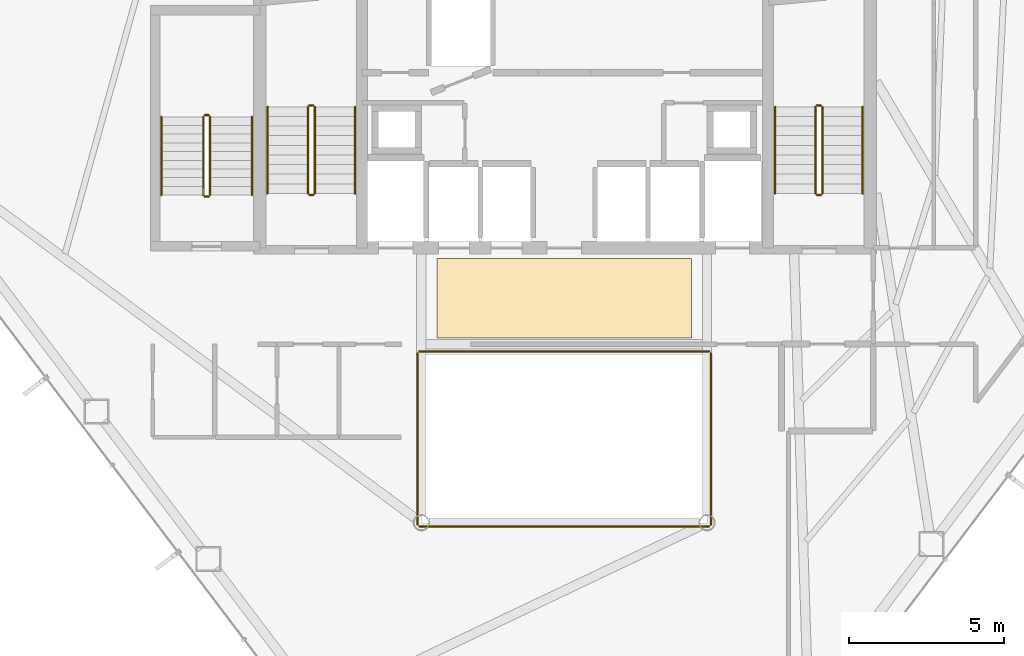
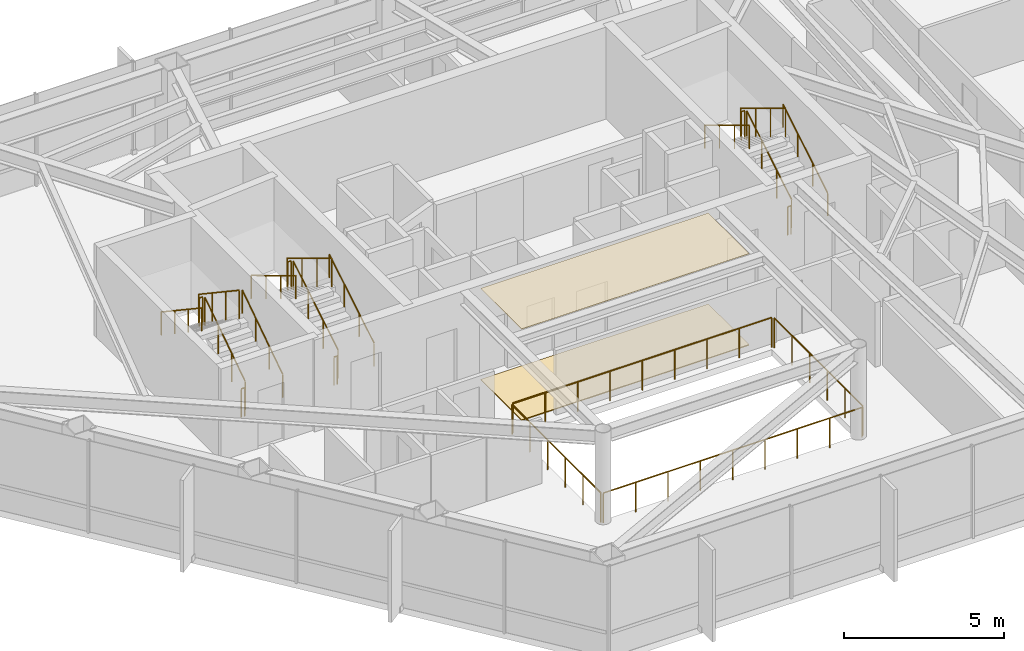
# One storey, part 28 of 28: 22 railings, 2 coverings.
"""IFC4 building model written with IfcOpenShell, lengths in metres."""

import ifcopenshell
import ifcopenshell.guid

model = None  # the IFC model being written
_history = None  # IfcOwnerHistory: only IFC2X3 demands one
_inside = {}  # id of a spatial element -> (the spatial element, [elements in it])
_under = {}  # id of a project, library or spatial element -> (it, [spatial elements below it])
_declared = {}  # id of a project -> (the project, [libraries it declares])
_typed = {}  # id of a type object -> (the type object, [elements of that type])
_made_of = {}  # id of a material, layer set ... -> (it, [elements and type objects made of it])


def new_model(schema):
    """Start an empty IFC model of exactly this schema.

    Asked for "IFC4X3", IfcOpenShell would pick the latest addendum, in which some entities
    have other attributes; the version numbers below select the first issue.
    IFC2X3 requires an IfcOwnerHistory on every rooted entity: one is made here for all.
    """
    global model, _history
    if schema == "IFC4X3":
        model = ifcopenshell.file(schema_version=(4, 3, 0, 0))
    else:
        model = ifcopenshell.file(schema=schema)
    _inside.clear()
    _under.clear()
    _declared.clear()
    _typed.clear()
    _made_of.clear()
    _history = None
    if model.schema == "IFC2X3":
        org = make("IfcOrganization", Name="unknown")
        user = make(
            "IfcPersonAndOrganization",
            ThePerson=make("IfcPerson", FamilyName="unknown"),
            TheOrganization=org,
        )
        app = make(
            "IfcApplication",
            ApplicationDeveloper=org,
            Version="unknown",
            ApplicationFullName="unknown",
            ApplicationIdentifier="unknown",
        )
        _history = make(
            "IfcOwnerHistory",
            OwningUser=user,
            OwningApplication=app,
            ChangeAction="ADDED",
            CreationDate=0,
        )
    return model


def make(cls, **values):
    """One entity of the class cls with the attributes given. An attribute that is None is left unset."""
    return model.create_entity(
        cls, **{name: value for name, value in values.items() if value is not None}
    )


def rooted(cls, **values):
    """An entity with a GlobalId (a new one), such as an element, a storey or a relation."""
    return make(cls, GlobalId=ifcopenshell.guid.new(), OwnerHistory=_history, **values)


def si_unit(unit_type, name, prefix=None):
    """IfcSIUnit, for example si_unit("LENGTHUNIT", "METRE", prefix="MILLI")."""
    return make("IfcSIUnit", UnitType=unit_type, Prefix=prefix, Name=name)


def assignment(units):
    """IfcUnitAssignment: the units of a project."""
    return None if units is None else make("IfcUnitAssignment", Units=units)


def point(xyz):
    """IfcCartesianPoint."""
    return None if xyz is None else make("IfcCartesianPoint", Coordinates=xyz)


def direction(xyz):
    """IfcDirection."""
    return None if xyz is None else make("IfcDirection", DirectionRatios=xyz)


def frame(location, z_axis=None, x_axis=None):
    """IfcAxis2Placement3D, a coordinate frame: its origin and axes. An axis left out is left unset."""
    return make(
        "IfcAxis2Placement3D",
        Location=point(location),
        Axis=direction(z_axis),
        RefDirection=direction(x_axis),
    )


def frame_2d(location, x_axis=None):
    """IfcAxis2Placement2D, a coordinate frame in the plane: its origin and x axis."""
    return make(
        "IfcAxis2Placement2D", Location=point(location), RefDirection=direction(x_axis)
    )


def origin():
    """The frame at (0, 0, 0) with its axes left unset."""
    return frame((0.0, 0.0, 0.0))


def origin_2d():
    """The frame at (0, 0) in the plane with its x axis left unset."""
    return frame_2d((0.0, 0.0))


def place(relative_to, where):
    """IfcLocalPlacement: puts the frame where relative to a parent placement (None: the world)."""
    return make(
        "IfcLocalPlacement", PlacementRelTo=relative_to, RelativePlacement=where
    )


def context(
    kind, dimensions, precision=None, world=None, true_north=None, identifier=None
):
    """IfcGeometricRepresentationContext, for example the 3D "Model" context."""
    return make(
        "IfcGeometricRepresentationContext",
        ContextIdentifier=identifier,
        ContextType=kind,
        CoordinateSpaceDimension=dimensions,
        Precision=precision,
        WorldCoordinateSystem=world,
        TrueNorth=true_north,
    )


def subcontext(parent, identifier, kind, view, scale=None):
    """IfcGeometricRepresentationSubContext, for example "Body" below "Model"."""
    return make(
        "IfcGeometricRepresentationSubContext",
        ContextIdentifier=identifier,
        ContextType=kind,
        ParentContext=parent,
        TargetScale=scale,
        TargetView=view,
    )


def project(units=None, contexts=None):
    """IfcProject with its units and contexts."""
    return rooted(
        "IfcProject",
        Name="project",
        RepresentationContexts=contexts,
        UnitsInContext=assignment(units),
    )


def spatial(cls, under=None, at=None, **own):
    """A site, building, storey or space (cls), placed at a placement, below another one or the project."""
    s = rooted(cls, ObjectPlacement=at, **own)
    if under is not None:
        _under.setdefault(under.id(), (under, []))[1].append(s)
    return s


def polyline(points):
    """IfcPolyline through the points."""
    return make("IfcPolyline", Points=[point(p) for p in points])


def profile(cls, at=None, kind="AREA", **sizes):
    """A parametric profile (cls). Its sizes go by their IFC names, for example OverallWidth=200.0."""
    return make(cls, ProfileType=kind, Position=at, **sizes)


def circle(**sizes):
    """IfcCircleProfileDef."""
    return profile("IfcCircleProfileDef", **sizes)


def outline(outer, holes=None, kind="AREA"):
    """IfcArbitraryClosedProfileDef: a profile drawn as a closed curve; with holes, ...WithVoids."""
    if holes is None:
        return make("IfcArbitraryClosedProfileDef", ProfileType=kind, OuterCurve=outer)
    return make(
        "IfcArbitraryProfileDefWithVoids",
        ProfileType=kind,
        OuterCurve=outer,
        InnerCurves=holes,
    )


def extrude(swept, where, along, depth):
    """IfcExtrudedAreaSolid: the profile swept, set in the frame where, extruded along a direction by depth."""
    return make(
        "IfcExtrudedAreaSolid",
        SweptArea=swept,
        Position=where,
        ExtrudedDirection=direction(along),
        Depth=depth,
    )


def shape(context_of_items, identifier, shape_type, items):
    """IfcShapeRepresentation: the items that make up one representation, for example the "Body"."""
    return make(
        "IfcShapeRepresentation",
        ContextOfItems=context_of_items,
        RepresentationIdentifier=identifier,
        RepresentationType=shape_type,
        Items=items,
    )


def material(Name=None, Category=None):
    """IfcMaterial."""
    return make("IfcMaterial", Name=Name, Category=Category)


def layer(
    of_material, thickness, ventilated=None, Name=None, Category=None, Priority=None
):
    """IfcMaterialLayer: one layer of a wall or slab, of a material (None: an air gap)."""
    return make(
        "IfcMaterialLayer",
        Material=of_material,
        LayerThickness=thickness,
        IsVentilated=ventilated,
        Name=Name,
        Category=Category,
        Priority=Priority,
    )


def layer_set(layers, Name=None):
    """IfcMaterialLayerSet."""
    return make("IfcMaterialLayerSet", MaterialLayers=layers, LayerSetName=Name)


def made_of(thing, what):
    """Note that an element or type object is made of a material, layer set ...; save() writes the relation."""
    if what is not None:
        _made_of.setdefault(what.id(), (what, []))[1].append(thing)
    return thing


def type_object(cls, material=None, **own):
    """A type object (cls), such as IfcWallType, which elements share."""
    return made_of(rooted(cls, **own), material)


def element(
    cls,
    number,
    at=None,
    inside=None,
    cuts=None,
    type_object=None,
    material=None,
    context=None,
    identifier="Body",
    shape_type=None,
    held_by="IfcProductDefinitionShape",
    body=None,
    shapes=None,
    **own,
):
    """One element of the class cls, such as IfcWall. Its Tag is "e" and its number.

    at: its placement. inside: the storey or other place that contains it. cuts: it is an
    opening in that element (IfcRelVoidsElement). A single representation is given by context,
    identifier, shape_type and body (its items); several are given by shapes. held_by: the class
    of the entity that holds the representations. save() writes the other relations.
    """
    e = rooted(cls, Tag="e%d" % number, ObjectPlacement=at, **own)
    if body is not None:
        shapes = [shape(context, identifier, shape_type, body)]
    if shapes is not None:
        e.Representation = make(held_by, Representations=shapes)
    if inside is not None:
        _inside.setdefault(inside.id(), (inside, []))[1].append(e)
    if cuts is not None:
        rooted(
            "IfcRelVoidsElement", RelatingBuildingElement=cuts, RelatedOpeningElement=e
        )
    if type_object is not None:
        _typed.setdefault(type_object.id(), (type_object, []))[1].append(e)
    return made_of(e, material)


def aggregate(whole, parts):
    """IfcRelAggregates: a whole, such as a stair, and the parts it consists of."""
    return rooted("IfcRelAggregates", RelatingObject=whole, RelatedObjects=parts)


def save(model, path):
    """Write the relations noted so far, then the file.

    IfcRelAggregates (storeys below a building ...), IfcRelContainedInSpatialStructure (elements
    in a storey), IfcRelDefinesByType, IfcRelAssociatesMaterial and IfcRelDeclares: one each for
    every whole, place, type object, material and project.
    """
    for whole, parts in _under.values():
        aggregate(whole, parts)
    for where, things in _inside.values():
        rooted(
            "IfcRelContainedInSpatialStructure",
            RelatedElements=things,
            RelatingStructure=where,
        )
    for kind, things in _typed.values():
        rooted("IfcRelDefinesByType", RelatedObjects=things, RelatingType=kind)
    for what, things in _made_of.values():
        rooted("IfcRelAssociatesMaterial", RelatedObjects=things, RelatingMaterial=what)
    for by, libraries in _declared.values():
        rooted("IfcRelDeclares", RelatingContext=by, RelatedDefinitions=libraries)
    model.write(path)


model = new_model("IFC4")

# Units and contexts
model_context = context("Model", 3, precision=1e-05, world=origin(), true_north=direction((0.0, 1.0)))
body_context = subcontext(model_context, "Body", "Model", "MODEL_VIEW")
ifc_project = project(units=[si_unit("LENGTHUNIT", "METRE"), si_unit("AREAUNIT", "SQUARE_METRE"), si_unit("VOLUMEUNIT", "CUBIC_METRE"), si_unit("PLANEANGLEUNIT", "RADIAN"), si_unit("MASSUNIT", "GRAM", prefix="KILO")], contexts=[model_context])

# Site, building, storey
site_placement = place(None, origin())
site = spatial("IfcSite", under=ifc_project, at=site_placement, CompositionType="ELEMENT")
building_placement = place(site_placement, origin())
building = spatial("IfcBuilding", under=site, at=building_placement, Name="Zarrinselat Tower", CompositionType="ELEMENT")
storey_placement = place(building_placement, frame((0.0, 0.0, 149.60009765625)))
storey = spatial("IfcBuildingStorey", under=building, at=storey_placement, Name="L36", CompositionType="ELEMENT", Elevation=149.60009765625)

# Coverings
ifc_material_1 = material(Name="Fire-Rated Gypsum Board Partition")
ifc_layer_1 = layer(ifc_material_1, 0.014892578125)
ifc_layer_set_1 = layer_set([ifc_layer_1], Name="Fire-Rated Gypsum Board Partition")
covering_type_1 = type_object("IfcCoveringType", Name="COV-CLG-AC15", PredefinedType="CEILING", material=ifc_layer_set_1)
covering_1_placement = place(storey_placement, frame((0.0, 0.0, 3.48486328125)))
element("IfcCovering", 1, at=covering_1_placement, inside=storey, type_object=covering_type_1, Name="L36 Lift Lobby Acoustic Ceiling", PredefinedType="CEILING", context=body_context, shape_type="SweptSolid", body=[
    extrude(outline(polyline([(34.300048828125, 30.35009765625), (42.5, 30.35009765625), (42.5, 32.89990234375), (34.300048828125, 32.89990234375), (34.300048828125, 30.35009765625)])), origin(), (0.0, 0.0, 1.0), 0.01513671875),
])
ifc_material_2 = material(Name="Precast concrete C40/50", Category="concrete")
ifc_layer_2 = layer(ifc_material_2, 0.034912109375)
ifc_layer_set_2 = layer_set([ifc_layer_2], Name="Precast concrete C40/50")
covering_type_2 = type_object("IfcCoveringType", Name="COV-FLR-CP35", PredefinedType="FLOORING", material=ifc_layer_set_2)
covering_2_placement = place(storey_placement, origin())
element("IfcCovering", 2, at=covering_2_placement, inside=storey, type_object=covering_type_2, Name="L36 Lift Lobby Stone Flooring", PredefinedType="FLOORING", context=body_context, shape_type="SweptSolid", body=[
    extrude(outline(polyline([(34.300048828125, 30.35009765625), (42.5, 30.35009765625), (42.5, 32.89990234375), (34.300048828125, 32.89990234375), (34.300048828125, 30.35009765625)])), origin(), (0.0, 0.0, 1.0), 0.034912109375),
])

# Railings
ifc_material_3 = material(Name="Double Low-E Laminated Solar Glass", Category="glass")
railing_type_1 = type_object("IfcRailingType", Name="RLG-ATRIUM-BAL", PredefinedType="BALUSTRADE", material=ifc_material_3)
railing_1_placement = place(storey_placement, frame((33.739990234375, 24.280029296875, 0.0)))
element("IfcRailing", 3, at=railing_1_placement, inside=storey, type_object=railing_type_1, Name="L36 Atrium Void Glass Balustrade S", PredefinedType="BALUSTRADE", context=body_context, shape_type="SweptSolid", body=[
    extrude(circle(Radius=0.02392578125, at=origin_2d()), frame((0.0, 0.0, 1.1259765625), z_axis=(1.0, 0.0, 0.0), x_axis=(0.0, 1.0, 0.0)), (0.0, 0.0, 1.0), 9.320068359375),
    extrude(circle(Radius=0.02099609375, at=origin_2d()), origin(), (0.0, 0.0, 1.0), 1.099853515625),
    extrude(circle(Radius=0.02099609375, at=origin_2d()), frame((1.1650390625, 0.0, 0.0)), (0.0, 0.0, 1.0), 1.099853515625),
    extrude(circle(Radius=0.02099609375, at=origin_2d()), frame((2.330078125, 0.0, 0.0)), (0.0, 0.0, 1.0), 1.099853515625),
    extrude(circle(Radius=0.02099609375, at=origin_2d()), frame((3.4951171875, 0.0, 0.0)), (0.0, 0.0, 1.0), 1.099853515625),
    extrude(circle(Radius=0.02099609375, at=origin_2d()), frame((4.66015625, 0.0, 0.0)), (0.0, 0.0, 1.0), 1.099853515625),
    extrude(circle(Radius=0.02099609375, at=origin_2d()), frame((5.824951171875, 0.0, 0.0)), (0.0, 0.0, 1.0), 1.099853515625),
    extrude(circle(Radius=0.02099609375, at=origin_2d()), frame((6.989990234375, 0.0, 0.0)), (0.0, 0.0, 1.0), 1.099853515625),
    extrude(circle(Radius=0.02099609375, at=origin_2d()), frame((8.155029296875, 0.0, 0.0)), (0.0, 0.0, 1.0), 1.099853515625),
    extrude(circle(Radius=0.02099609375, at=origin_2d()), frame((9.320068359375, 0.0, 0.0)), (0.0, 0.0, 1.0), 1.099853515625),
])
railing_2_placement = place(storey_placement, frame((43.1201171875, 24.340087890625, 0.0)))
element("IfcRailing", 4, at=railing_2_placement, inside=storey, type_object=railing_type_1, Name="L36 Atrium Void Glass Balustrade E", PredefinedType="BALUSTRADE", context=body_context, shape_type="SweptSolid", body=[
    extrude(circle(Radius=0.02392578125, at=origin_2d()), frame((0.0, 0.0, 1.1259765625), z_axis=(0.0, 1.0, 0.0), x_axis=(-1.0, 0.0, 0.0)), (0.0, 0.0, 1.0), 5.52001953125),
    extrude(circle(Radius=0.02099609375, at=origin_2d()), origin(), (0.0, 0.0, 1.0), 1.099853515625),
    extrude(circle(Radius=0.02099609375, at=origin_2d()), frame((0.0, 1.10400390625, 0.0)), (0.0, 0.0, 1.0), 1.099853515625),
    extrude(circle(Radius=0.02099609375, at=origin_2d()), frame((0.0, 2.2080078125, 0.0)), (0.0, 0.0, 1.0), 1.099853515625),
    extrude(circle(Radius=0.02099609375, at=origin_2d()), frame((0.0, 3.31201171875, 0.0)), (0.0, 0.0, 1.0), 1.099853515625),
    extrude(circle(Radius=0.02099609375, at=origin_2d()), frame((0.0, 4.416015625, 0.0)), (0.0, 0.0, 1.0), 1.099853515625),
    extrude(circle(Radius=0.02099609375, at=origin_2d()), frame((0.0, 5.52001953125, 0.0)), (0.0, 0.0, 1.0), 1.099853515625),
])
railing_3_placement = place(storey_placement, frame((43.06005859375, 29.919921875, 0.0)))
element("IfcRailing", 5, at=railing_3_placement, inside=storey, type_object=railing_type_1, Name="L36 Atrium Void Glass Balustrade N", PredefinedType="BALUSTRADE", context=body_context, shape_type="SweptSolid", body=[
    extrude(circle(Radius=0.02392578125, at=origin_2d()), frame((0.0, 0.0, 1.1259765625), z_axis=(-1.0, 0.0, 0.0), x_axis=(0.0, -1.0, 0.0)), (0.0, 0.0, 1.0), 9.320068359375),
    extrude(circle(Radius=0.02099609375, at=origin_2d()), origin(), (0.0, 0.0, 1.0), 1.099853515625),
    extrude(circle(Radius=0.02099609375, at=origin_2d()), frame((-1.1650390625, 0.0, 0.0)), (0.0, 0.0, 1.0), 1.099853515625),
    extrude(circle(Radius=0.02099609375, at=origin_2d()), frame((-2.330078125, 0.0, 0.0)), (0.0, 0.0, 1.0), 1.099853515625),
    extrude(circle(Radius=0.02099609375, at=origin_2d()), frame((-3.4951171875, 0.0, 0.0)), (0.0, 0.0, 1.0), 1.099853515625),
    extrude(circle(Radius=0.02099609375, at=origin_2d()), frame((-4.66015625, 0.0, 0.0)), (0.0, 0.0, 1.0), 1.099853515625),
    extrude(circle(Radius=0.02099609375, at=origin_2d()), frame((-5.824951171875, 0.0, 0.0)), (0.0, 0.0, 1.0), 1.099853515625),
    extrude(circle(Radius=0.02099609375, at=origin_2d()), frame((-6.989990234375, 0.0, 0.0)), (0.0, 0.0, 1.0), 1.099853515625),
    extrude(circle(Radius=0.02099609375, at=origin_2d()), frame((-8.155029296875, 0.0, 0.0)), (0.0, 0.0, 1.0), 1.099853515625),
    extrude(circle(Radius=0.02099609375, at=origin_2d()), frame((-9.320068359375, 0.0, 0.0)), (0.0, 0.0, 1.0), 1.099853515625),
])
railing_4_placement = place(storey_placement, frame((33.679931640625, 29.860107421875, 0.0)))
element("IfcRailing", 6, at=railing_4_placement, inside=storey, type_object=railing_type_1, Name="L36 Atrium Void Glass Balustrade W", PredefinedType="BALUSTRADE", context=body_context, shape_type="SweptSolid", body=[
    extrude(circle(Radius=0.02392578125, at=origin_2d()), frame((0.0, 0.0, 1.1259765625), z_axis=(0.0, -1.0, 0.0), x_axis=(1.0, 0.0, 0.0)), (0.0, 0.0, 1.0), 5.52001953125),
    extrude(circle(Radius=0.02099609375, at=origin_2d()), origin(), (0.0, 0.0, 1.0), 1.099853515625),
    extrude(circle(Radius=0.02099609375, at=origin_2d()), frame((0.0, -1.10400390625, 0.0)), (0.0, 0.0, 1.0), 1.099853515625),
    extrude(circle(Radius=0.02099609375, at=origin_2d()), frame((0.0, -2.2080078125, 0.0)), (0.0, 0.0, 1.0), 1.099853515625),
    extrude(circle(Radius=0.02099609375, at=origin_2d()), frame((0.0, -3.31201171875, 0.0)), (0.0, 0.0, 1.0), 1.099853515625),
    extrude(circle(Radius=0.02099609375, at=origin_2d()), frame((0.0, -4.416015625, 0.0)), (0.0, 0.0, 1.0), 1.099853515625),
    extrude(circle(Radius=0.02099609375, at=origin_2d()), frame((0.0, -5.52001953125, 0.0)), (0.0, 0.0, 1.0), 1.099853515625),
])
ifc_material_4 = material(Name="Steel S355J2", Category="steel")
railing_type_2 = type_object("IfcRailingType", Name="RLG-STAIR-GUARD", PredefinedType="GUARDRAIL", material=ifc_material_4)
railing_5_placement = place(storey_placement, frame((30.3701171875, 35.0, 0.18701171875)))
element("IfcRailing", 7, at=railing_5_placement, inside=storey, type_object=railing_type_2, Name="L36 ST-1 stair guard 1", PredefinedType="GUARDRAIL", context=body_context, shape_type="SweptSolid", body=[
    extrude(circle(Radius=0.02392578125, at=origin_2d()), frame((0.0, 0.0, 1.076171875), z_axis=(0.0, 0.856293938615, 0.516488809842), x_axis=(-1.0, 0.0, 0.0)), (0.0, 0.0, 1.0), 3.25830078125),
    extrude(circle(Radius=0.02099609375, at=origin_2d()), origin(), (0.0, 0.0, 1.0), 1.050048828125),
    extrude(circle(Radius=0.02099609375, at=origin_2d()), frame((0.0, 0.929931640625, 0.56103515625)), (0.0, 0.0, 1.0), 1.050048828125),
    extrude(circle(Radius=0.02099609375, at=origin_2d()), frame((0.0, 1.860107421875, 1.121826171875)), (0.0, 0.0, 1.0), 1.050048828125),
    extrude(circle(Radius=0.02099609375, at=origin_2d()), frame((0.0, 2.7900390625, 1.682861328125)), (0.0, 0.0, 1.0), 1.050048828125),
])
railing_6_placement = place(storey_placement, frame((30.320068359375, 37.840087890625, 1.869873046875)))
element("IfcRailing", 8, at=railing_6_placement, inside=storey, type_object=railing_type_2, Name="L36 ST-1 stair guard 2", PredefinedType="GUARDRAIL", context=body_context, shape_type="SweptSolid", body=[
    extrude(circle(Radius=0.02392578125, at=origin_2d()), frame((0.0, 0.0, 1.076171875), z_axis=(-1.0, 0.0, 0.0), x_axis=(0.0, -1.0, 0.0)), (0.0, 0.0, 1.0), 0.1201171875),
    extrude(circle(Radius=0.02099609375, at=origin_2d()), origin(), (0.0, 0.0, 1.0), 1.050048828125),
    extrude(circle(Radius=0.02099609375, at=origin_2d()), frame((-0.1201171875, 0.0, 0.0)), (0.0, 0.0, 1.0), 1.050048828125),
])
railing_7_placement = place(storey_placement, frame((30.14990234375, 37.7900390625, 2.056884765625)))
element("IfcRailing", 9, at=railing_7_placement, inside=storey, type_object=railing_type_2, Name="L36 ST-1 stair guard 3", PredefinedType="GUARDRAIL", context=body_context, shape_type="SweptSolid", body=[
    extrude(circle(Radius=0.02392578125, at=origin_2d()), frame((0.0, 0.0, 1.076171875), z_axis=(0.0, -0.856260799362, 0.516543747882), x_axis=(1.0, 0.0, 0.0)), (0.0, 0.0, 1.0), 3.25830078125),
    extrude(circle(Radius=0.02099609375, at=origin_2d()), origin(), (0.0, 0.0, 1.0), 1.050048828125),
    extrude(circle(Radius=0.02099609375, at=origin_2d()), frame((0.0, -0.929931640625, 0.56103515625)), (0.0, 0.0, 1.0), 1.050048828125),
    extrude(circle(Radius=0.02099609375, at=origin_2d()), frame((0.0, -1.860107421875, 1.1220703125)), (0.0, 0.0, 1.0), 1.050048828125),
    extrude(circle(Radius=0.02099609375, at=origin_2d()), frame((0.0, -2.7900390625, 1.68310546875)), (0.0, 0.0, 1.0), 1.050048828125),
])
railing_8_placement = place(storey_placement, frame((30.320068359375, 34.949951171875, 0.0)))
element("IfcRailing", 10, at=railing_8_placement, inside=storey, type_object=railing_type_2, Name="L36 ST-1 stair guard 4", PredefinedType="GUARDRAIL", context=body_context, shape_type="SweptSolid", body=[
    extrude(circle(Radius=0.02392578125, at=origin_2d()), frame((0.0, 0.0, 1.076171875), z_axis=(-1.0, 0.0, 0.0), x_axis=(0.0, -1.0, 0.0)), (0.0, 0.0, 1.0), 0.1201171875),
    extrude(circle(Radius=0.02099609375, at=origin_2d()), origin(), (0.0, 0.0, 1.0), 1.050048828125),
    extrude(circle(Radius=0.02099609375, at=origin_2d()), frame((-0.1201171875, 0.0, 0.0)), (0.0, 0.0, 1.0), 1.050048828125),
])
railing_9_placement = place(storey_placement, frame((46.7099609375, 35.0, 0.18701171875)))
element("IfcRailing", 11, at=railing_9_placement, inside=storey, type_object=railing_type_2, Name="L36 ST-2 stair guard 1", PredefinedType="GUARDRAIL", context=body_context, shape_type="SweptSolid", body=[
    extrude(circle(Radius=0.02392578125, at=origin_2d()), frame((0.0, 0.0, 1.076171875), z_axis=(0.0, 0.856293938615, 0.516488809842), x_axis=(-1.0, 0.0, 0.0)), (0.0, 0.0, 1.0), 3.25830078125),
    extrude(circle(Radius=0.02099609375, at=origin_2d()), origin(), (0.0, 0.0, 1.0), 1.050048828125),
    extrude(circle(Radius=0.02099609375, at=origin_2d()), frame((0.0, 0.929931640625, 0.56103515625)), (0.0, 0.0, 1.0), 1.050048828125),
    extrude(circle(Radius=0.02099609375, at=origin_2d()), frame((0.0, 1.860107421875, 1.121826171875)), (0.0, 0.0, 1.0), 1.050048828125),
    extrude(circle(Radius=0.02099609375, at=origin_2d()), frame((0.0, 2.7900390625, 1.682861328125)), (0.0, 0.0, 1.0), 1.050048828125),
])
railing_10_placement = place(storey_placement, frame((46.659912109375, 37.840087890625, 1.869873046875)))
element("IfcRailing", 12, at=railing_10_placement, inside=storey, type_object=railing_type_2, Name="L36 ST-2 stair guard 2", PredefinedType="GUARDRAIL", context=body_context, shape_type="SweptSolid", body=[
    extrude(circle(Radius=0.02392578125, at=origin_2d()), frame((0.0, 0.0, 1.076171875), z_axis=(-1.0, 0.0, 0.0), x_axis=(0.0, -1.0, 0.0)), (0.0, 0.0, 1.0), 0.119873046875),
    extrude(circle(Radius=0.02099609375, at=origin_2d()), origin(), (0.0, 0.0, 1.0), 1.050048828125),
    extrude(circle(Radius=0.02099609375, at=origin_2d()), frame((-0.119873046875, 0.0, 0.0)), (0.0, 0.0, 1.0), 1.050048828125),
])
railing_11_placement = place(storey_placement, frame((46.489990234375, 37.7900390625, 2.056884765625)))
element("IfcRailing", 13, at=railing_11_placement, inside=storey, type_object=railing_type_2, Name="L36 ST-2 stair guard 3", PredefinedType="GUARDRAIL", context=body_context, shape_type="SweptSolid", body=[
    extrude(circle(Radius=0.02392578125, at=origin_2d()), frame((0.0, 0.0, 1.076171875), z_axis=(0.0, -0.856260799362, 0.516543747882), x_axis=(1.0, 0.0, 0.0)), (0.0, 0.0, 1.0), 3.25830078125),
    extrude(circle(Radius=0.02099609375, at=origin_2d()), origin(), (0.0, 0.0, 1.0), 1.050048828125),
    extrude(circle(Radius=0.02099609375, at=origin_2d()), frame((0.0, -0.929931640625, 0.56103515625)), (0.0, 0.0, 1.0), 1.050048828125),
    extrude(circle(Radius=0.02099609375, at=origin_2d()), frame((0.0, -1.860107421875, 1.1220703125)), (0.0, 0.0, 1.0), 1.050048828125),
    extrude(circle(Radius=0.02099609375, at=origin_2d()), frame((0.0, -2.7900390625, 1.68310546875)), (0.0, 0.0, 1.0), 1.050048828125),
])
railing_12_placement = place(storey_placement, frame((46.659912109375, 34.949951171875, 0.0)))
element("IfcRailing", 14, at=railing_12_placement, inside=storey, type_object=railing_type_2, Name="L36 ST-2 stair guard 4", PredefinedType="GUARDRAIL", context=body_context, shape_type="SweptSolid", body=[
    extrude(circle(Radius=0.02392578125, at=origin_2d()), frame((0.0, 0.0, 1.076171875), z_axis=(-1.0, 0.0, 0.0), x_axis=(0.0, -1.0, 0.0)), (0.0, 0.0, 1.0), 0.119873046875),
    extrude(circle(Radius=0.02099609375, at=origin_2d()), origin(), (0.0, 0.0, 1.0), 1.050048828125),
    extrude(circle(Radius=0.02099609375, at=origin_2d()), frame((-0.119873046875, 0.0, 0.0)), (0.0, 0.0, 1.0), 1.050048828125),
])
railing_13_placement = place(storey_placement, frame((27.0, 34.949951171875, 0.18701171875)))
element("IfcRailing", 15, at=railing_13_placement, inside=storey, type_object=railing_type_2, Name="L36 ST-3 stair guard 1", PredefinedType="GUARDRAIL", context=body_context, shape_type="SweptSolid", body=[
    extrude(circle(Radius=0.02392578125, at=origin_2d()), frame((0.0, 0.0, 1.076171875), z_axis=(0.0, 0.831616215664, 0.555350762892), x_axis=(-1.0, 0.0, 0.0)), (0.0, 0.0, 1.0), 3.0302734375),
    extrude(circle(Radius=0.02099609375, at=origin_2d()), origin(), (0.0, 0.0, 1.0), 1.050048828125),
    extrude(circle(Radius=0.02099609375, at=origin_2d()), frame((0.0, 0.840087890625, 0.56103515625)), (0.0, 0.0, 1.0), 1.050048828125),
    extrude(circle(Radius=0.02099609375, at=origin_2d()), frame((0.0, 1.679931640625, 1.121826171875)), (0.0, 0.0, 1.0), 1.050048828125),
    extrude(circle(Radius=0.02099609375, at=origin_2d()), frame((0.0, 2.52001953125, 1.682861328125)), (0.0, 0.0, 1.0), 1.050048828125),
])
railing_14_placement = place(storey_placement, frame((26.949951171875, 37.52001953125, 1.869873046875)))
element("IfcRailing", 16, at=railing_14_placement, inside=storey, type_object=railing_type_2, Name="L36 ST-3 stair guard 2", PredefinedType="GUARDRAIL", context=body_context, shape_type="SweptSolid", body=[
    extrude(circle(Radius=0.02392578125, at=origin_2d()), frame((0.0, 0.0, 1.076171875), z_axis=(-1.0, 0.0, 0.0), x_axis=(0.0, -1.0, 0.0)), (0.0, 0.0, 1.0), 0.119873046875),
    extrude(circle(Radius=0.02099609375, at=origin_2d()), origin(), (0.0, 0.0, 1.0), 1.050048828125),
    extrude(circle(Radius=0.02099609375, at=origin_2d()), frame((-0.119873046875, 0.0, 0.0)), (0.0, 0.0, 1.0), 1.050048828125),
])
railing_15_placement = place(storey_placement, frame((26.780029296875, 37.469970703125, 2.056884765625)))
element("IfcRailing", 17, at=railing_15_placement, inside=storey, type_object=railing_type_2, Name="L36 ST-3 stair guard 3", PredefinedType="GUARDRAIL", context=body_context, shape_type="SweptSolid", body=[
    extrude(circle(Radius=0.02392578125, at=origin_2d()), frame((0.0, 0.0, 1.076171875), z_axis=(0.0, -0.831579006341, 0.555406478368), x_axis=(1.0, 0.0, 0.0)), (0.0, 0.0, 1.0), 3.030517578125),
    extrude(circle(Radius=0.02099609375, at=origin_2d()), origin(), (0.0, 0.0, 1.0), 1.050048828125),
    extrude(circle(Radius=0.02099609375, at=origin_2d()), frame((0.0, -0.840087890625, 0.56103515625)), (0.0, 0.0, 1.0), 1.050048828125),
    extrude(circle(Radius=0.02099609375, at=origin_2d()), frame((0.0, -1.679931640625, 1.1220703125)), (0.0, 0.0, 1.0), 1.050048828125),
    extrude(circle(Radius=0.02099609375, at=origin_2d()), frame((0.0, -2.52001953125, 1.68310546875)), (0.0, 0.0, 1.0), 1.050048828125),
])
railing_16_placement = place(storey_placement, frame((26.949951171875, 34.89990234375, 0.0)))
element("IfcRailing", 18, at=railing_16_placement, inside=storey, type_object=railing_type_2, Name="L36 ST-3 stair guard 4", PredefinedType="GUARDRAIL", context=body_context, shape_type="SweptSolid", body=[
    extrude(circle(Radius=0.02392578125, at=origin_2d()), frame((0.0, 0.0, 1.076171875), z_axis=(-1.0, 0.0, 0.0), x_axis=(0.0, -1.0, 0.0)), (0.0, 0.0, 1.0), 0.119873046875),
    extrude(circle(Radius=0.02099609375, at=origin_2d()), origin(), (0.0, 0.0, 1.0), 1.050048828125),
    extrude(circle(Radius=0.02099609375, at=origin_2d()), frame((-0.119873046875, 0.0, 0.0)), (0.0, 0.0, 1.0), 1.050048828125),
])
ifc_material_5 = material(Name="Steel S355J2", Category="steel")
railing_type_3 = type_object("IfcRailingType", Name="RLG-STAIR-HAND", PredefinedType="HANDRAIL", material=ifc_material_5)
railing_17_placement = place(storey_placement, frame((31.669921875, 35.0, 0.18701171875)))
element("IfcRailing", 19, at=railing_17_placement, inside=storey, type_object=railing_type_3, Name="L36 ST-1 stair handrail 1", PredefinedType="HANDRAIL", context=body_context, shape_type="SweptSolid", body=[
    extrude(circle(Radius=0.02392578125, at=origin_2d()), frame((0.0, 0.0, 0.8759765625), z_axis=(0.0, 0.856293938615, 0.516488809842), x_axis=(-1.0, 0.0, 0.0)), (0.0, 0.0, 1.0), 3.25830078125),
    extrude(circle(Radius=0.02099609375, at=origin_2d()), origin(), (0.0, 0.0, 1.0), 0.849853515625),
    extrude(circle(Radius=0.02099609375, at=origin_2d()), frame((0.0, 0.929931640625, 0.56103515625)), (0.0, 0.0, 1.0), 0.849853515625),
    extrude(circle(Radius=0.02099609375, at=origin_2d()), frame((0.0, 1.860107421875, 1.121826171875)), (0.0, 0.0, 1.0), 0.849853515625),
    extrude(circle(Radius=0.02099609375, at=origin_2d()), frame((0.0, 2.7900390625, 1.682861328125)), (0.0, 0.0, 1.0), 0.849853515625),
])
railing_18_placement = place(storey_placement, frame((28.85009765625, 37.7900390625, 2.056884765625)))
element("IfcRailing", 20, at=railing_18_placement, inside=storey, type_object=railing_type_3, Name="L36 ST-1 stair handrail 2", PredefinedType="HANDRAIL", context=body_context, shape_type="SweptSolid", body=[
    extrude(circle(Radius=0.02392578125, at=origin_2d()), frame((0.0, 0.0, 0.8759765625), z_axis=(0.0, -0.856260799362, 0.516543747882), x_axis=(1.0, 0.0, 0.0)), (0.0, 0.0, 1.0), 3.25830078125),
    extrude(circle(Radius=0.02099609375, at=origin_2d()), origin(), (0.0, 0.0, 1.0), 0.849853515625),
    extrude(circle(Radius=0.02099609375, at=origin_2d()), frame((0.0, -0.929931640625, 0.56103515625)), (0.0, 0.0, 1.0), 0.849853515625),
    extrude(circle(Radius=0.02099609375, at=origin_2d()), frame((0.0, -1.860107421875, 1.1220703125)), (0.0, 0.0, 1.0), 0.849853515625),
    extrude(circle(Radius=0.02099609375, at=origin_2d()), frame((0.0, -2.7900390625, 1.68310546875)), (0.0, 0.0, 1.0), 0.849853515625),
])
railing_19_placement = place(storey_placement, frame((48.010009765625, 35.0, 0.18701171875)))
element("IfcRailing", 21, at=railing_19_placement, inside=storey, type_object=railing_type_3, Name="L36 ST-2 stair handrail 1", PredefinedType="HANDRAIL", context=body_context, shape_type="SweptSolid", body=[
    extrude(circle(Radius=0.02392578125, at=origin_2d()), frame((0.0, 0.0, 0.8759765625), z_axis=(0.0, 0.856293938615, 0.516488809842), x_axis=(-1.0, 0.0, 0.0)), (0.0, 0.0, 1.0), 3.25830078125),
    extrude(circle(Radius=0.02099609375, at=origin_2d()), origin(), (0.0, 0.0, 1.0), 0.849853515625),
    extrude(circle(Radius=0.02099609375, at=origin_2d()), frame((0.0, 0.929931640625, 0.56103515625)), (0.0, 0.0, 1.0), 0.849853515625),
    extrude(circle(Radius=0.02099609375, at=origin_2d()), frame((0.0, 1.860107421875, 1.121826171875)), (0.0, 0.0, 1.0), 0.849853515625),
    extrude(circle(Radius=0.02099609375, at=origin_2d()), frame((0.0, 2.7900390625, 1.682861328125)), (0.0, 0.0, 1.0), 0.849853515625),
])
railing_20_placement = place(storey_placement, frame((45.18994140625, 37.7900390625, 2.056884765625)))
element("IfcRailing", 22, at=railing_20_placement, inside=storey, type_object=railing_type_3, Name="L36 ST-2 stair handrail 2", PredefinedType="HANDRAIL", context=body_context, shape_type="SweptSolid", body=[
    extrude(circle(Radius=0.02392578125, at=origin_2d()), frame((0.0, 0.0, 0.8759765625), z_axis=(0.0, -0.856260799362, 0.516543747882), x_axis=(1.0, 0.0, 0.0)), (0.0, 0.0, 1.0), 3.25830078125),
    extrude(circle(Radius=0.02099609375, at=origin_2d()), origin(), (0.0, 0.0, 1.0), 0.849853515625),
    extrude(circle(Radius=0.02099609375, at=origin_2d()), frame((0.0, -0.929931640625, 0.56103515625)), (0.0, 0.0, 1.0), 0.849853515625),
    extrude(circle(Radius=0.02099609375, at=origin_2d()), frame((0.0, -1.860107421875, 1.1220703125)), (0.0, 0.0, 1.0), 0.849853515625),
    extrude(circle(Radius=0.02099609375, at=origin_2d()), frame((0.0, -2.7900390625, 1.68310546875)), (0.0, 0.0, 1.0), 0.849853515625),
])
railing_21_placement = place(storey_placement, frame((28.35009765625, 34.949951171875, 0.18701171875)))
element("IfcRailing", 23, at=railing_21_placement, inside=storey, type_object=railing_type_3, Name="L36 ST-3 stair handrail 1", PredefinedType="HANDRAIL", context=body_context, shape_type="SweptSolid", body=[
    extrude(circle(Radius=0.02392578125, at=origin_2d()), frame((0.0, 0.0, 0.8759765625), z_axis=(0.0, 0.831616215664, 0.555350762892), x_axis=(-1.0, 0.0, 0.0)), (0.0, 0.0, 1.0), 3.0302734375),
    extrude(circle(Radius=0.02099609375, at=origin_2d()), origin(), (0.0, 0.0, 1.0), 0.849853515625),
    extrude(circle(Radius=0.02099609375, at=origin_2d()), frame((0.0, 0.840087890625, 0.56103515625)), (0.0, 0.0, 1.0), 0.849853515625),
    extrude(circle(Radius=0.02099609375, at=origin_2d()), frame((0.0, 1.679931640625, 1.121826171875)), (0.0, 0.0, 1.0), 0.849853515625),
    extrude(circle(Radius=0.02099609375, at=origin_2d()), frame((0.0, 2.52001953125, 1.682861328125)), (0.0, 0.0, 1.0), 0.849853515625),
])
railing_22_placement = place(storey_placement, frame((25.429931640625, 37.469970703125, 2.056884765625)))
element("IfcRailing", 24, at=railing_22_placement, inside=storey, type_object=railing_type_3, Name="L36 ST-3 stair handrail 2", PredefinedType="HANDRAIL", context=body_context, shape_type="SweptSolid", body=[
    extrude(circle(Radius=0.02392578125, at=origin_2d()), frame((0.0, 0.0, 0.8759765625), z_axis=(0.0, -0.831579006341, 0.555406478368), x_axis=(1.0, 0.0, 0.0)), (0.0, 0.0, 1.0), 3.030517578125),
    extrude(circle(Radius=0.02099609375, at=origin_2d()), origin(), (0.0, 0.0, 1.0), 0.849853515625),
    extrude(circle(Radius=0.02099609375, at=origin_2d()), frame((0.0, -0.840087890625, 0.56103515625)), (0.0, 0.0, 1.0), 0.849853515625),
    extrude(circle(Radius=0.02099609375, at=origin_2d()), frame((0.0, -1.679931640625, 1.1220703125)), (0.0, 0.0, 1.0), 0.849853515625),
    extrude(circle(Radius=0.02099609375, at=origin_2d()), frame((0.0, -2.52001953125, 1.68310546875)), (0.0, 0.0, 1.0), 0.849853515625),
])

save(model, "model.ifc")
